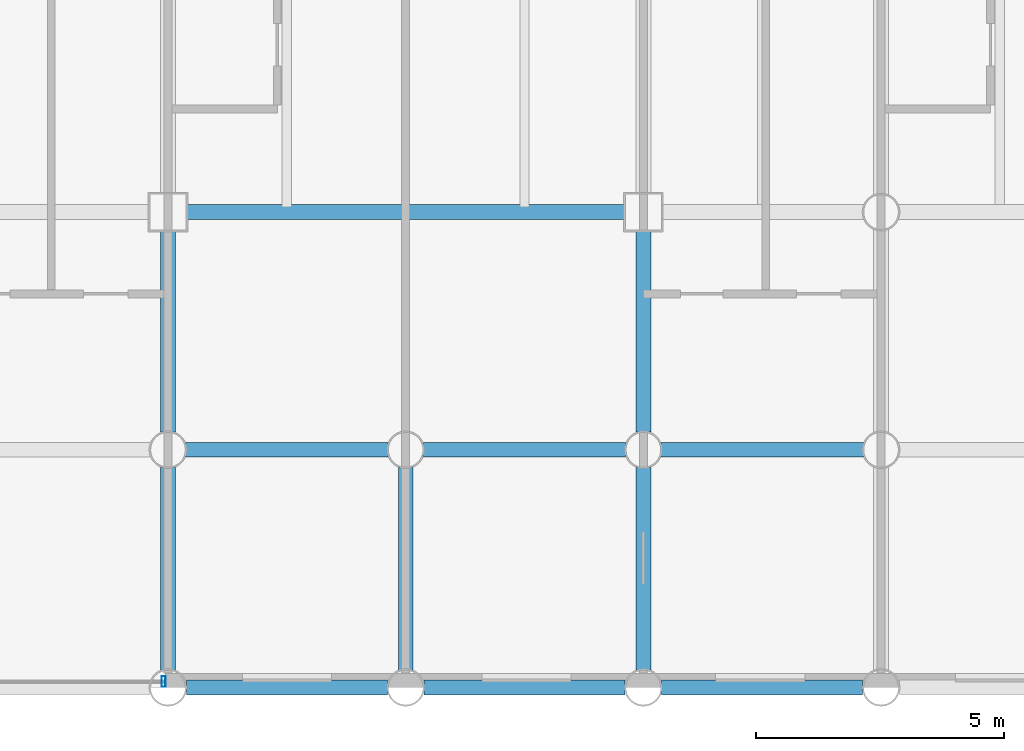
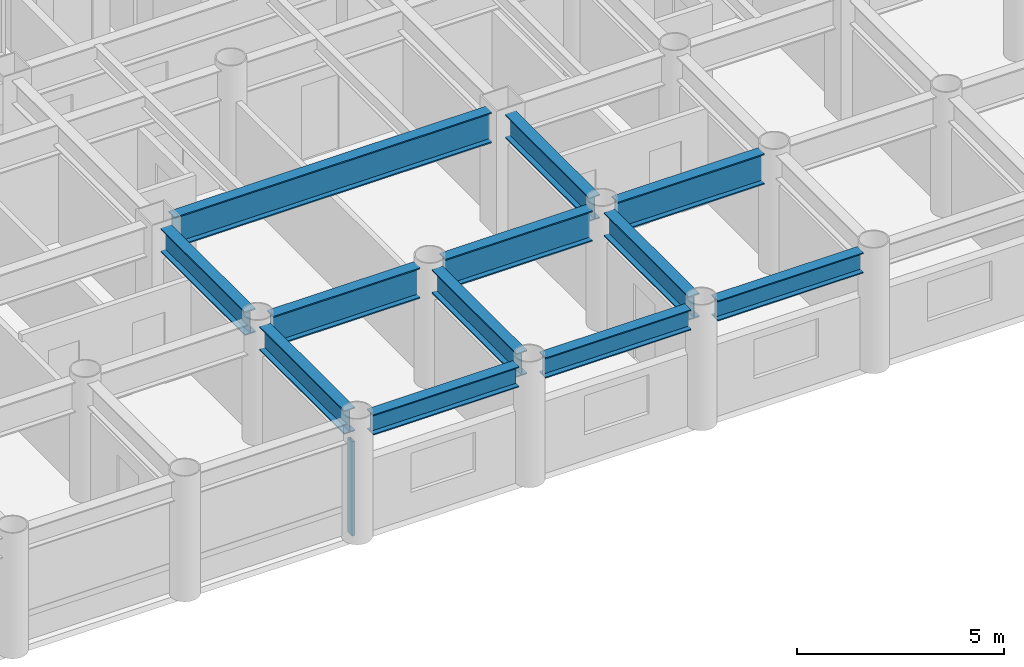
# One storey, part 6 of 20: 12 beams, 1 member, 1 element without a shape of its own.
"""IFC4 building model written with IfcOpenShell, lengths in metres."""

import ifcopenshell
import ifcopenshell.guid

model = None  # the IFC model being written
_history = None  # IfcOwnerHistory: only IFC2X3 demands one
_inside = {}  # id of a spatial element -> (the spatial element, [elements in it])
_under = {}  # id of a project, library or spatial element -> (it, [spatial elements below it])
_declared = {}  # id of a project -> (the project, [libraries it declares])
_typed = {}  # id of a type object -> (the type object, [elements of that type])
_made_of = {}  # id of a material, layer set ... -> (it, [elements and type objects made of it])


def new_model(schema):
    """Start an empty IFC model of exactly this schema.

    Asked for "IFC4X3", IfcOpenShell would pick the latest addendum, in which some entities
    have other attributes; the version numbers below select the first issue.
    IFC2X3 requires an IfcOwnerHistory on every rooted entity: one is made here for all.
    """
    global model, _history
    if schema == "IFC4X3":
        model = ifcopenshell.file(schema_version=(4, 3, 0, 0))
    else:
        model = ifcopenshell.file(schema=schema)
    _inside.clear()
    _under.clear()
    _declared.clear()
    _typed.clear()
    _made_of.clear()
    _history = None
    if model.schema == "IFC2X3":
        org = make("IfcOrganization", Name="unknown")
        user = make(
            "IfcPersonAndOrganization",
            ThePerson=make("IfcPerson", FamilyName="unknown"),
            TheOrganization=org,
        )
        app = make(
            "IfcApplication",
            ApplicationDeveloper=org,
            Version="unknown",
            ApplicationFullName="unknown",
            ApplicationIdentifier="unknown",
        )
        _history = make(
            "IfcOwnerHistory",
            OwningUser=user,
            OwningApplication=app,
            ChangeAction="ADDED",
            CreationDate=0,
        )
    return model


def make(cls, **values):
    """One entity of the class cls with the attributes given. An attribute that is None is left unset."""
    return model.create_entity(
        cls, **{name: value for name, value in values.items() if value is not None}
    )


def rooted(cls, **values):
    """An entity with a GlobalId (a new one), such as an element, a storey or a relation."""
    return make(cls, GlobalId=ifcopenshell.guid.new(), OwnerHistory=_history, **values)


def si_unit(unit_type, name, prefix=None):
    """IfcSIUnit, for example si_unit("LENGTHUNIT", "METRE", prefix="MILLI")."""
    return make("IfcSIUnit", UnitType=unit_type, Prefix=prefix, Name=name)


def assignment(units):
    """IfcUnitAssignment: the units of a project."""
    return None if units is None else make("IfcUnitAssignment", Units=units)


def point(xyz):
    """IfcCartesianPoint."""
    return None if xyz is None else make("IfcCartesianPoint", Coordinates=xyz)


def direction(xyz):
    """IfcDirection."""
    return None if xyz is None else make("IfcDirection", DirectionRatios=xyz)


def frame(location, z_axis=None, x_axis=None):
    """IfcAxis2Placement3D, a coordinate frame: its origin and axes. An axis left out is left unset."""
    return make(
        "IfcAxis2Placement3D",
        Location=point(location),
        Axis=direction(z_axis),
        RefDirection=direction(x_axis),
    )


def frame_2d(location, x_axis=None):
    """IfcAxis2Placement2D, a coordinate frame in the plane: its origin and x axis."""
    return make(
        "IfcAxis2Placement2D", Location=point(location), RefDirection=direction(x_axis)
    )


def origin():
    """The frame at (0, 0, 0) with its axes left unset."""
    return frame((0.0, 0.0, 0.0))


def origin_2d():
    """The frame at (0, 0) in the plane with its x axis left unset."""
    return frame_2d((0.0, 0.0))


def place(relative_to, where):
    """IfcLocalPlacement: puts the frame where relative to a parent placement (None: the world)."""
    return make(
        "IfcLocalPlacement", PlacementRelTo=relative_to, RelativePlacement=where
    )


def context(
    kind, dimensions, precision=None, world=None, true_north=None, identifier=None
):
    """IfcGeometricRepresentationContext, for example the 3D "Model" context."""
    return make(
        "IfcGeometricRepresentationContext",
        ContextIdentifier=identifier,
        ContextType=kind,
        CoordinateSpaceDimension=dimensions,
        Precision=precision,
        WorldCoordinateSystem=world,
        TrueNorth=true_north,
    )


def subcontext(parent, identifier, kind, view, scale=None):
    """IfcGeometricRepresentationSubContext, for example "Body" below "Model"."""
    return make(
        "IfcGeometricRepresentationSubContext",
        ContextIdentifier=identifier,
        ContextType=kind,
        ParentContext=parent,
        TargetScale=scale,
        TargetView=view,
    )


def project(units=None, contexts=None):
    """IfcProject with its units and contexts."""
    return rooted(
        "IfcProject",
        Name="project",
        RepresentationContexts=contexts,
        UnitsInContext=assignment(units),
    )


def spatial(cls, under=None, at=None, **own):
    """A site, building, storey or space (cls), placed at a placement, below another one or the project."""
    s = rooted(cls, ObjectPlacement=at, **own)
    if under is not None:
        _under.setdefault(under.id(), (under, []))[1].append(s)
    return s


def profile(cls, at=None, kind="AREA", **sizes):
    """A parametric profile (cls). Its sizes go by their IFC names, for example OverallWidth=200.0."""
    return make(cls, ProfileType=kind, Position=at, **sizes)


def hollow_rectangle(**sizes):
    """IfcRectangleHollowProfileDef."""
    return profile("IfcRectangleHollowProfileDef", **sizes)


def i_section(**sizes):
    """IfcIShapeProfileDef."""
    return profile("IfcIShapeProfileDef", **sizes)


def extrude(swept, where, along, depth):
    """IfcExtrudedAreaSolid: the profile swept, set in the frame where, extruded along a direction by depth."""
    return make(
        "IfcExtrudedAreaSolid",
        SweptArea=swept,
        Position=where,
        ExtrudedDirection=direction(along),
        Depth=depth,
    )


def shape(context_of_items, identifier, shape_type, items):
    """IfcShapeRepresentation: the items that make up one representation, for example the "Body"."""
    return make(
        "IfcShapeRepresentation",
        ContextOfItems=context_of_items,
        RepresentationIdentifier=identifier,
        RepresentationType=shape_type,
        Items=items,
    )


def material(Name=None, Category=None):
    """IfcMaterial."""
    return make("IfcMaterial", Name=Name, Category=Category)


def layer(
    of_material, thickness, ventilated=None, Name=None, Category=None, Priority=None
):
    """IfcMaterialLayer: one layer of a wall or slab, of a material (None: an air gap)."""
    return make(
        "IfcMaterialLayer",
        Material=of_material,
        LayerThickness=thickness,
        IsVentilated=ventilated,
        Name=Name,
        Category=Category,
        Priority=Priority,
    )


def layer_set(layers, Name=None):
    """IfcMaterialLayerSet."""
    return make("IfcMaterialLayerSet", MaterialLayers=layers, LayerSetName=Name)


def material_profile(
    of_material, cross_section, Name=None, Category=None, Priority=None
):
    """IfcMaterialProfile: a cross section and its material."""
    return make(
        "IfcMaterialProfile",
        Name=Name,
        Material=of_material,
        Profile=cross_section,
        Priority=Priority,
        Category=Category,
    )


def profile_set(profiles, Name=None, composite=None):
    """IfcMaterialProfileSet."""
    return make(
        "IfcMaterialProfileSet",
        Name=Name,
        MaterialProfiles=profiles,
        CompositeProfile=composite,
    )


def made_of(thing, what):
    """Note that an element or type object is made of a material, layer set ...; save() writes the relation."""
    if what is not None:
        _made_of.setdefault(what.id(), (what, []))[1].append(thing)
    return thing


def type_object(cls, material=None, **own):
    """A type object (cls), such as IfcWallType, which elements share."""
    return made_of(rooted(cls, **own), material)


def element(
    cls,
    number,
    at=None,
    inside=None,
    cuts=None,
    type_object=None,
    material=None,
    context=None,
    identifier="Body",
    shape_type=None,
    held_by="IfcProductDefinitionShape",
    body=None,
    shapes=None,
    **own,
):
    """One element of the class cls, such as IfcWall. Its Tag is "e" and its number.

    at: its placement. inside: the storey or other place that contains it. cuts: it is an
    opening in that element (IfcRelVoidsElement). A single representation is given by context,
    identifier, shape_type and body (its items); several are given by shapes. held_by: the class
    of the entity that holds the representations. save() writes the other relations.
    """
    e = rooted(cls, Tag="e%d" % number, ObjectPlacement=at, **own)
    if body is not None:
        shapes = [shape(context, identifier, shape_type, body)]
    if shapes is not None:
        e.Representation = make(held_by, Representations=shapes)
    if inside is not None:
        _inside.setdefault(inside.id(), (inside, []))[1].append(e)
    if cuts is not None:
        rooted(
            "IfcRelVoidsElement", RelatingBuildingElement=cuts, RelatedOpeningElement=e
        )
    if type_object is not None:
        _typed.setdefault(type_object.id(), (type_object, []))[1].append(e)
    return made_of(e, material)


def aggregate(whole, parts):
    """IfcRelAggregates: a whole, such as a stair, and the parts it consists of."""
    return rooted("IfcRelAggregates", RelatingObject=whole, RelatedObjects=parts)


def save(model, path):
    """Write the relations noted so far, then the file.

    IfcRelAggregates (storeys below a building ...), IfcRelContainedInSpatialStructure (elements
    in a storey), IfcRelDefinesByType, IfcRelAssociatesMaterial and IfcRelDeclares: one each for
    every whole, place, type object, material and project.
    """
    for whole, parts in _under.values():
        aggregate(whole, parts)
    for where, things in _inside.values():
        rooted(
            "IfcRelContainedInSpatialStructure",
            RelatedElements=things,
            RelatingStructure=where,
        )
    for kind, things in _typed.values():
        rooted("IfcRelDefinesByType", RelatedObjects=things, RelatingType=kind)
    for what, things in _made_of.values():
        rooted("IfcRelAssociatesMaterial", RelatedObjects=things, RelatingMaterial=what)
    for by, libraries in _declared.values():
        rooted("IfcRelDeclares", RelatingContext=by, RelatedDefinitions=libraries)
    model.write(path)


model = new_model("IFC4")

# Units and contexts
model_context = context("Model", 3, precision=1e-05, world=origin(), true_north=direction((0.0, 1.0)))
body_context = subcontext(model_context, "Body", "Model", "MODEL_VIEW")
ifc_project = project(units=[si_unit("LENGTHUNIT", "METRE"), si_unit("AREAUNIT", "SQUARE_METRE"), si_unit("VOLUMEUNIT", "CUBIC_METRE"), si_unit("PLANEANGLEUNIT", "RADIAN"), si_unit("MASSUNIT", "GRAM", prefix="KILO")], contexts=[model_context])

# Site, building, storey
site_placement = place(None, origin())
site = spatial("IfcSite", under=ifc_project, at=site_placement, CompositionType="ELEMENT")
building_placement = place(site_placement, origin())
building = spatial("IfcBuilding", under=site, at=building_placement, Name="Kallvorn Hotel Tower", CompositionType="ELEMENT")
storey_placement = place(building_placement, frame((0.0, 0.0, 70.699951171875)))
storey = spatial("IfcBuildingStorey", under=building, at=storey_placement, Name="L16", CompositionType="ELEMENT", Elevation=70.699951171875)

# Beams
ifc_material_1 = material(Name="Structural steel S355JR", Category="steel")
ifc_material_profile_1 = material_profile(ifc_material_1, i_section(OverallWidth=0.300048828125, OverallDepth=0.60009765625, WebThickness=0.015380859375, FlangeThickness=0.030029296875, at=origin_2d()), Name="HE 600 B")
ifc_profile_set_1 = profile_set([ifc_material_profile_1], Name="Structural steel S355JR")
beam_type_1 = type_object("IfcBeamType", Name="BM_HE600B", PredefinedType="SPANDREL", material=ifc_profile_set_1)
for number, where, z_axis, x_axis, name in (
    (1, (5.1708984375, -24.0, 3.219970703125), (1.0, 0.0, 0.0), (0.0, 1.0, 0.0), "L17 Perimeter Spandrel 157"),
    (2, (9.970947265625, -24.0, 3.219970703125), (1.0, 0.0, 0.0), (0.0, 1.0, 0.0), "L17 Perimeter Spandrel 158"),
    (3, (14.77099609375, -24.0, 3.219970703125), (1.0, 0.0, 0.0), (0.0, 1.0, 0.0), "L17 Perimeter Spandrel 159"),
):
    element("IfcBeam", number, at=place(storey_placement, frame(where, z_axis=z_axis, x_axis=x_axis)), inside=storey, type_object=beam_type_1, Name=name, PredefinedType="SPANDREL", context=body_context, shape_type="SweptSolid", body=[
        extrude(i_section(OverallWidth=0.300048828125, OverallDepth=0.60009765625, WebThickness=0.015380859375, FlangeThickness=0.030029296875, at=origin_2d()), origin(), (0.0, 0.0, 1.0), 4.05810546875),
    ])
ifc_material_2 = material(Name="Structural steel S355JR", Category="steel")
ifc_material_profile_2 = material_profile(ifc_material_2, i_section(OverallWidth=0.300048828125, OverallDepth=0.699951171875, WebThickness=0.01708984375, FlangeThickness=0.031982421875, at=origin_2d()), Name="HE 700 B")
ifc_profile_set_2 = profile_set([ifc_material_profile_2], Name="Structural steel S355JR")
beam_type_2 = type_object("IfcBeamType", Name="BM_HE700B", PredefinedType="BEAM", material=ifc_profile_set_2)
beam_1_placement = place(storey_placement, frame((4.800048828125, -23.64404296875, 3.170166015625), z_axis=(0.0, 1.0, 0.0), x_axis=(-1.0, 0.0, 0.0)))
element("IfcBeam", 4, at=beam_1_placement, inside=storey, type_object=beam_type_2, Name="L17 Primary Y-Girder 113", PredefinedType="BEAM", context=body_context, shape_type="SweptSolid", body=[
    extrude(i_section(OverallWidth=0.300048828125, OverallDepth=0.699951171875, WebThickness=0.01708984375, FlangeThickness=0.031982421875, at=origin_2d()), origin(), (0.0, 0.0, 1.0), 4.088134765625),
])
beam_2_placement = place(storey_placement, frame((4.800048828125, -18.843994140625, 3.170166015625), z_axis=(0.0, 1.0, 0.0), x_axis=(-1.0, 0.0, 0.0)))
element("IfcBeam", 5, at=beam_2_placement, inside=storey, type_object=beam_type_2, Name="L17 Primary Y-Girder 114", PredefinedType="BEAM", context=body_context, shape_type="SweptSolid", body=[
    extrude(i_section(OverallWidth=0.300048828125, OverallDepth=0.699951171875, WebThickness=0.01708984375, FlangeThickness=0.031982421875, at=origin_2d()), origin(), (0.0, 0.0, 1.0), 4.069091796875),
])
for number, where, z_axis, x_axis, name in (
    (6, (9.60009765625, -23.64404296875, 3.170166015625), (0.0, 1.0, 0.0), (-1.0, 0.0, 0.0), "L17 Primary Y-Girder 118"),
    (7, (14.39990234375, -23.64404296875, 3.170166015625), (0.0, 1.0, 0.0), (-1.0, 0.0, 0.0), "L17 Primary Y-Girder 121"),
):
    element("IfcBeam", number, at=place(storey_placement, frame(where, z_axis=z_axis, x_axis=x_axis)), inside=storey, type_object=beam_type_2, Name=name, PredefinedType="BEAM", context=body_context, shape_type="SweptSolid", body=[
        extrude(i_section(OverallWidth=0.300048828125, OverallDepth=0.699951171875, WebThickness=0.01708984375, FlangeThickness=0.031982421875, at=origin_2d()), origin(), (0.0, 0.0, 1.0), 4.088134765625),
    ])
beam_3_placement = place(storey_placement, frame((14.39990234375, -18.843994140625, 3.170166015625), z_axis=(0.0, 1.0, 0.0), x_axis=(-1.0, 0.0, 0.0)))
element("IfcBeam", 8, at=beam_3_placement, inside=storey, type_object=beam_type_2, Name="L17 Primary Y-Girder 122", PredefinedType="BEAM", context=body_context, shape_type="SweptSolid", body=[
    extrude(i_section(OverallWidth=0.300048828125, OverallDepth=0.699951171875, WebThickness=0.01708984375, FlangeThickness=0.031982421875, at=origin_2d()), origin(), (0.0, 0.0, 1.0), 4.069091796875),
])
ifc_material_3 = material(Name="Structural steel S355JR", Category="steel")
ifc_material_profile_3 = material_profile(ifc_material_3, i_section(OverallWidth=0.300048828125, OverallDepth=0.89990234375, WebThickness=0.0185546875, FlangeThickness=0.034912109375, at=origin_2d()), Name="HE 900 B")
ifc_profile_set_3 = profile_set([ifc_material_profile_3], Name="Structural steel S355JR")
beam_type_3 = type_object("IfcBeamType", Name="BM_HE900B", PredefinedType="BEAM", material=ifc_profile_set_3)
for number, where, z_axis, x_axis, name in (
    (9, (5.156005859375, -19.199951171875, 3.070068359375), (1.0, 0.0, 0.0), (0.0, 1.0, 0.0), "L17 Primary X-Girder 08"),
    (10, (9.9560546875, -19.199951171875, 3.070068359375), (1.0, 0.0, 0.0), (0.0, 1.0, 0.0), "L17 Primary X-Girder 09"),
    (11, (14.756103515625, -19.199951171875, 3.070068359375), (1.0, 0.0, 0.0), (0.0, 1.0, 0.0), "L17 Primary X-Girder 10"),
):
    element("IfcBeam", number, at=place(storey_placement, frame(where, z_axis=z_axis, x_axis=x_axis)), inside=storey, type_object=beam_type_3, Name=name, PredefinedType="BEAM", context=body_context, shape_type="SweptSolid", body=[
        extrude(i_section(OverallWidth=0.300048828125, OverallDepth=0.89990234375, WebThickness=0.0185546875, FlangeThickness=0.034912109375, at=origin_2d()), origin(), (0.0, 0.0, 1.0), 4.087890625),
    ])
beam_4_placement = place(storey_placement, frame((5.175048828125, -14.39990234375, 3.070068359375), z_axis=(1.0, 0.0, 0.0), x_axis=(0.0, 1.0, 0.0)))
element("IfcBeam", 12, at=beam_4_placement, inside=storey, type_object=beam_type_3, Name="L17 Primary X-Girder 19", PredefinedType="BEAM", context=body_context, shape_type="SweptSolid", body=[
    extrude(i_section(OverallWidth=0.300048828125, OverallDepth=0.89990234375, WebThickness=0.0185546875, FlangeThickness=0.034912109375, at=origin_2d()), origin(), (0.0, 0.0, 1.0), 8.849853515625),
])

# Curtain wall, member
ifc_material_4 = material(Name="Thermally broken black-anodised aluminium AA 6063-T6", Category="aluminium")
ifc_layer = layer(ifc_material_4, 0.199951171875)
ifc_layer_set = layer_set([ifc_layer], Name="CW_SYS_3_HOTEL_LOW")
curtain_wall_type = type_object("IfcCurtainWallType", Name="CW_SYS_3_HOTEL_LOW", PredefinedType="USERDEFINED", material=ifc_layer_set)
curtain_wall_placement = place(storey_placement, origin())
curtain_wall = element("IfcCurtainWall", 13, at=curtain_wall_placement, inside=storey, type_object=curtain_wall_type, Name="L16 Dark-Glass Curtain Wall CW-L16-SC", ObjectType="UNITISED CURTAIN WALL", PredefinedType="USERDEFINED")
ifc_material_5 = material(Name="Thermally broken black-anodised aluminium AA 6063-T6", Category="aluminium")
ifc_material_profile_4 = material_profile(ifc_material_5, hollow_rectangle(XDim=0.080078125, YDim=0.219970703125, WallThickness=0.0048828125, at=origin_2d()), Name="MUL 220x80")
ifc_profile_set_4 = profile_set([ifc_material_profile_4], Name="Thermally broken black-anodised aluminium AA 6063-T6")
member_type = type_object("IfcMemberType", Name="CW_MULLION_220x80", PredefinedType="MULLION", material=ifc_profile_set_4)
member_placement = place(storey_placement, frame((4.7099609375, -23.8798828125, 0.02001953125), z_axis=(0.0, 0.0, 1.0), x_axis=(1.0, 0.0, 0.0)))
member = element("IfcMember", 14, at=member_placement, type_object=member_type, Name="CW-L16-SC Mullion 02", PredefinedType="MULLION", context=body_context, shape_type="SweptSolid", body=[
    extrude(hollow_rectangle(XDim=0.080078125, YDim=0.219970703125, WallThickness=0.0048828125, at=origin_2d()), origin(), (0.0, 0.0, 1.0), 2.780029296875),
])
aggregate(curtain_wall, [member])

save(model, "model.ifc")
